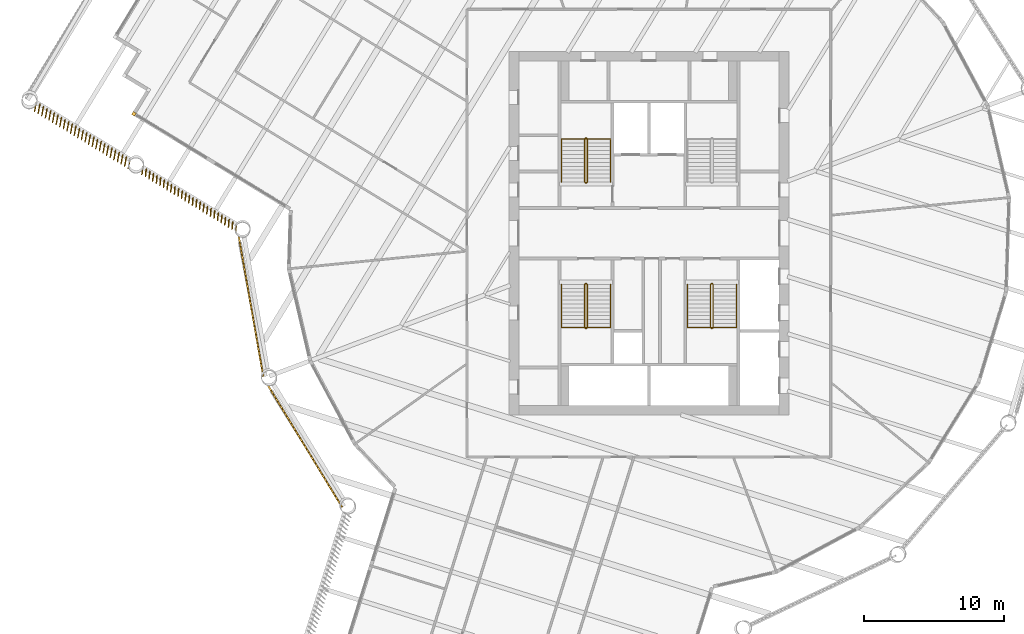
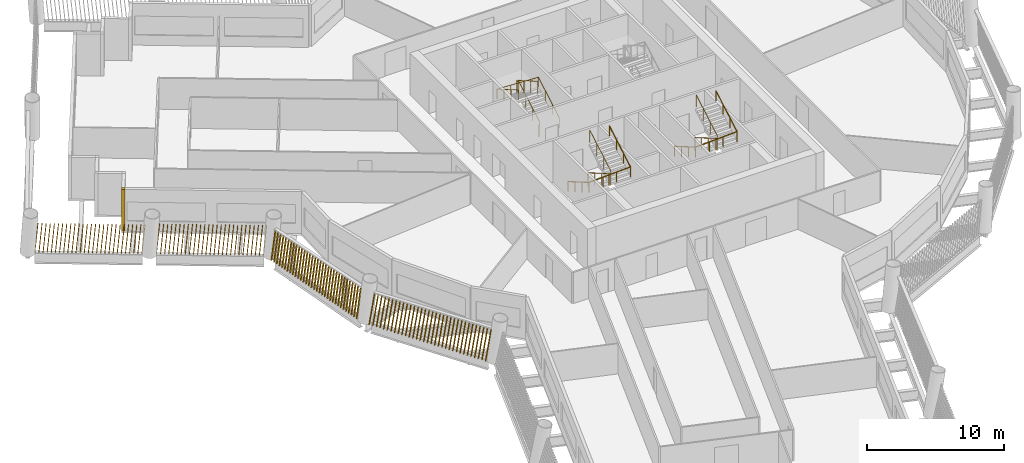
# One storey, part 12 of 15: 6 railings, 5 shading devices.
"""IFC4 building model written with IfcOpenShell, lengths in metres."""

from ifc_helpers import new_model, si_unit, direction, frame, frame_2d, origin, origin_2d, place, context, subcontext, project, spatial, rectangle, circle, composite_profile, extrude, material, type_object, element, save


model = new_model("IFC4")

# Units and contexts
model_context = context("Model", 3, precision=1e-05, world=origin(), true_north=direction((0.0, 1.0)))
body_context = subcontext(model_context, "Body", "Model", "MODEL_VIEW")
ifc_project = project(units=[si_unit("LENGTHUNIT", "METRE"), si_unit("AREAUNIT", "SQUARE_METRE"), si_unit("VOLUMEUNIT", "CUBIC_METRE"), si_unit("PLANEANGLEUNIT", "RADIAN"), si_unit("MASSUNIT", "GRAM", prefix="KILO")], contexts=[model_context])

# Site, building, storey
site_placement = place(None, origin())
site = spatial("IfcSite", under=ifc_project, at=site_placement, CompositionType="ELEMENT")
building_placement = place(site_placement, origin())
building = spatial("IfcBuilding", under=site, at=building_placement, Name="Tarsis Ring Headquarters", CompositionType="ELEMENT")
storey_placement = place(building_placement, frame((0.0, 0.0, 151.5)))
storey = spatial("IfcBuildingStorey", under=building, at=storey_placement, Name="L34", CompositionType="ELEMENT", Elevation=151.5)

# Railings
ifc_material_1 = material(Name="Steel S355", Category="steel")
railing_type_1 = type_object("IfcRailingType", Name="Core stair guard 1100", PredefinedType="GUARDRAIL", material=ifc_material_1)
railing_1_placement = place(storey_placement, frame((-4.5400390625, 3.610107421875, 0.0)))
element("IfcRailing", 1, at=railing_1_placement, inside=storey, type_object=railing_type_1, Name="L34 ST1 stair guard 1", PredefinedType="GUARDRAIL", context=body_context, shape_type="SweptSolid", body=[
    extrude(circle(Radius=0.02392578125, at=origin_2d()), frame((0.0, 0.0, 1.076171875), z_axis=(1.0, 0.0, 0.0), x_axis=(0.0, 1.0, 0.0)), (0.0, 0.0, 1.0), 0.080078125),
    extrude(circle(Radius=0.02392578125, at=origin_2d()), frame((0.080078125, 0.0, 1.076171875), z_axis=(0.282336740067, 0.280959487676, 0.917250092119), x_axis=(-0.705375805398, 0.708833529934, 0.0)), (0.0, 0.0, 1.0), 0.17724609375),
    extrude(circle(Radius=0.02392578125, at=origin_2d()), frame((0.130126953125, 0.0498046875, 1.23876953125), z_axis=(0.0, 0.864920483161, 0.501908913857), x_axis=(-1.0, 0.0, 0.0)), (0.0, 0.0, 1.0), 3.56103515625),
    extrude(circle(Radius=0.02392578125, at=origin_2d()), frame((0.130126953125, 3.1298828125, 3.02587890625), z_axis=(-0.707106781187, 0.707106781187, 0.0), x_axis=(-0.707106781187, -0.707106781187, 0.0)), (0.0, 0.0, 1.0), 0.07080078125),
    extrude(circle(Radius=0.02392578125, at=origin_2d()), frame((0.080078125, 3.179931640625, 3.02587890625), z_axis=(-1.0, 0.0, 0.0), x_axis=(0.0, -1.0, 0.0)), (0.0, 0.0, 1.0), 0.080078125),
    extrude(circle(Radius=0.02392578125, at=origin_2d()), frame((0.0, 3.179931640625, 3.02587890625), z_axis=(-0.282227285176, -0.282227285176, 0.916894497205), x_axis=(0.707106781187, -0.707106781187, 0.0)), (0.0, 0.0, 1.0), 0.17724609375),
    extrude(circle(Radius=0.02392578125, at=origin_2d()), frame((-0.050048828125, 3.1298828125, 3.1884765625), z_axis=(0.0, -0.864920483161, 0.501908913857), x_axis=(1.0, 0.0, 0.0)), (0.0, 0.0, 1.0), 3.56103515625),
    extrude(circle(Radius=0.02099609375, at=origin_2d()), origin(), (0.0, 0.0, 1.0), 1.052001953125),
    extrude(circle(Radius=0.02099609375, at=origin_2d()), frame((0.080078125, 0.0, 0.0)), (0.0, 0.0, 1.0), 1.052001953125),
    extrude(circle(Radius=0.02099609375, at=origin_2d()), frame((0.130126953125, 0.0498046875, 0.16259765625)), (0.0, 0.0, 1.0), 1.052001953125),
    extrude(circle(Radius=0.02099609375, at=origin_2d()), frame((0.130126953125, 1.076416015625, 0.75830078125)), (0.0, 0.0, 1.0), 1.052001953125),
    extrude(circle(Radius=0.02099609375, at=origin_2d()), frame((0.130126953125, 2.103271484375, 1.354248046875)), (0.0, 0.0, 1.0), 1.052001953125),
    extrude(circle(Radius=0.02099609375, at=origin_2d()), frame((0.130126953125, 3.1298828125, 1.949951171875)), (0.0, 0.0, 1.0), 1.052001953125),
    extrude(circle(Radius=0.02099609375, at=origin_2d()), frame((0.080078125, 3.179931640625, 1.949951171875)), (0.0, 0.0, 1.0), 1.052001953125),
    extrude(circle(Radius=0.02099609375, at=origin_2d()), frame((0.0, 3.179931640625, 1.949951171875)), (0.0, 0.0, 1.0), 1.052001953125),
    extrude(circle(Radius=0.02099609375, at=origin_2d()), frame((-0.050048828125, 3.1298828125, 2.112548828125)), (0.0, 0.0, 1.0), 1.052001953125),
    extrude(circle(Radius=0.02099609375, at=origin_2d()), frame((-0.050048828125, 2.103271484375, 2.708251953125)), (0.0, 0.0, 1.0), 1.052001953125),
    extrude(circle(Radius=0.02099609375, at=origin_2d()), frame((-0.050048828125, 1.076416015625, 3.30419921875)), (0.0, 0.0, 1.0), 1.052001953125),
    extrude(circle(Radius=0.02099609375, at=origin_2d()), frame((-0.050048828125, 0.0498046875, 3.89990234375)), (0.0, 0.0, 1.0), 1.052001953125),
])
railing_2_placement = place(storey_placement, frame((-4.4599609375, -3.610107421875, 0.0)))
element("IfcRailing", 2, at=railing_2_placement, inside=storey, type_object=railing_type_1, Name="L34 ST3 stair guard 1", PredefinedType="GUARDRAIL", context=body_context, shape_type="SweptSolid", body=[
    extrude(circle(Radius=0.02392578125, at=origin_2d()), frame((0.0, 0.0, 1.076171875), z_axis=(-1.0, 0.0, 0.0), x_axis=(0.0, -1.0, 0.0)), (0.0, 0.0, 1.0), 0.080078125),
    extrude(circle(Radius=0.02392578125, at=origin_2d()), frame((-0.080078125, 0.0, 1.076171875), z_axis=(-0.282336740067, -0.280959487676, 0.917250092119), x_axis=(0.705375805398, -0.708833529934, 0.0)), (0.0, 0.0, 1.0), 0.17724609375),
    extrude(circle(Radius=0.02392578125, at=origin_2d()), frame((-0.130126953125, -0.0498046875, 1.23876953125), z_axis=(0.0, -0.864920483161, 0.501908913857), x_axis=(1.0, 0.0, 0.0)), (0.0, 0.0, 1.0), 3.56103515625),
    extrude(circle(Radius=0.02392578125, at=origin_2d()), frame((-0.130126953125, -3.1298828125, 3.02587890625), z_axis=(0.707106781187, -0.707106781187, 0.0), x_axis=(0.707106781187, 0.707106781187, 0.0)), (0.0, 0.0, 1.0), 0.07080078125),
    extrude(circle(Radius=0.02392578125, at=origin_2d()), frame((-0.080078125, -3.179931640625, 3.02587890625), z_axis=(1.0, 0.0, 0.0), x_axis=(0.0, 1.0, 0.0)), (0.0, 0.0, 1.0), 0.080078125),
    extrude(circle(Radius=0.02392578125, at=origin_2d()), frame((0.0, -3.179931640625, 3.02587890625), z_axis=(0.282227285176, 0.282227285176, 0.916894497205), x_axis=(-0.707106781187, 0.707106781187, 0.0)), (0.0, 0.0, 1.0), 0.17724609375),
    extrude(circle(Radius=0.02392578125, at=origin_2d()), frame((0.050048828125, -3.1298828125, 3.1884765625), z_axis=(0.0, 0.864920483161, 0.501908913857), x_axis=(-1.0, 0.0, 0.0)), (0.0, 0.0, 1.0), 3.56103515625),
    extrude(circle(Radius=0.02099609375, at=origin_2d()), origin(), (0.0, 0.0, 1.0), 1.052001953125),
    extrude(circle(Radius=0.02099609375, at=origin_2d()), frame((-0.080078125, 0.0, 0.0)), (0.0, 0.0, 1.0), 1.052001953125),
    extrude(circle(Radius=0.02099609375, at=origin_2d()), frame((-0.130126953125, -0.0498046875, 0.16259765625)), (0.0, 0.0, 1.0), 1.052001953125),
    extrude(circle(Radius=0.02099609375, at=origin_2d()), frame((-0.130126953125, -1.076416015625, 0.75830078125)), (0.0, 0.0, 1.0), 1.052001953125),
    extrude(circle(Radius=0.02099609375, at=origin_2d()), frame((-0.130126953125, -2.103271484375, 1.354248046875)), (0.0, 0.0, 1.0), 1.052001953125),
    extrude(circle(Radius=0.02099609375, at=origin_2d()), frame((-0.130126953125, -3.1298828125, 1.949951171875)), (0.0, 0.0, 1.0), 1.052001953125),
    extrude(circle(Radius=0.02099609375, at=origin_2d()), frame((-0.080078125, -3.179931640625, 1.949951171875)), (0.0, 0.0, 1.0), 1.052001953125),
    extrude(circle(Radius=0.02099609375, at=origin_2d()), frame((0.0, -3.179931640625, 1.949951171875)), (0.0, 0.0, 1.0), 1.052001953125),
    extrude(circle(Radius=0.02099609375, at=origin_2d()), frame((0.050048828125, -3.1298828125, 2.112548828125)), (0.0, 0.0, 1.0), 1.052001953125),
    extrude(circle(Radius=0.02099609375, at=origin_2d()), frame((0.050048828125, -2.103271484375, 2.708251953125)), (0.0, 0.0, 1.0), 1.052001953125),
    extrude(circle(Radius=0.02099609375, at=origin_2d()), frame((0.050048828125, -1.076416015625, 3.30419921875)), (0.0, 0.0, 1.0), 1.052001953125),
    extrude(circle(Radius=0.02099609375, at=origin_2d()), frame((0.050048828125, -0.0498046875, 3.89990234375)), (0.0, 0.0, 1.0), 1.052001953125),
])
railing_3_placement = place(storey_placement, frame((4.5400390625, -3.610107421875, 0.0)))
element("IfcRailing", 3, at=railing_3_placement, inside=storey, type_object=railing_type_1, Name="L34 ST4 stair guard 1", PredefinedType="GUARDRAIL", context=body_context, shape_type="SweptSolid", body=[
    extrude(circle(Radius=0.02392578125, at=origin_2d()), frame((0.0, 0.0, 1.076171875), z_axis=(-1.0, 0.0, 0.0), x_axis=(0.0, -1.0, 0.0)), (0.0, 0.0, 1.0), 0.080078125),
    extrude(circle(Radius=0.02392578125, at=origin_2d()), frame((-0.080078125, 0.0, 1.076171875), z_axis=(-0.282336740067, -0.280959487676, 0.917250092119), x_axis=(0.705375805398, -0.708833529934, 0.0)), (0.0, 0.0, 1.0), 0.17724609375),
    extrude(circle(Radius=0.02392578125, at=origin_2d()), frame((-0.130126953125, -0.0498046875, 1.23876953125), z_axis=(0.0, -0.864920483161, 0.501908913857), x_axis=(1.0, 0.0, 0.0)), (0.0, 0.0, 1.0), 3.56103515625),
    extrude(circle(Radius=0.02392578125, at=origin_2d()), frame((-0.130126953125, -3.1298828125, 3.02587890625), z_axis=(0.707106781187, -0.707106781187, 0.0), x_axis=(0.707106781187, 0.707106781187, 0.0)), (0.0, 0.0, 1.0), 0.07080078125),
    extrude(circle(Radius=0.02392578125, at=origin_2d()), frame((-0.080078125, -3.179931640625, 3.02587890625), z_axis=(1.0, 0.0, 0.0), x_axis=(0.0, 1.0, 0.0)), (0.0, 0.0, 1.0), 0.080078125),
    extrude(circle(Radius=0.02392578125, at=origin_2d()), frame((0.0, -3.179931640625, 3.02587890625), z_axis=(0.282227285176, 0.282227285176, 0.916894497205), x_axis=(-0.707106781187, 0.707106781187, 0.0)), (0.0, 0.0, 1.0), 0.17724609375),
    extrude(circle(Radius=0.02392578125, at=origin_2d()), frame((0.050048828125, -3.1298828125, 3.1884765625), z_axis=(0.0, 0.864920483161, 0.501908913857), x_axis=(-1.0, 0.0, 0.0)), (0.0, 0.0, 1.0), 3.56103515625),
    extrude(circle(Radius=0.02099609375, at=origin_2d()), origin(), (0.0, 0.0, 1.0), 1.052001953125),
    extrude(circle(Radius=0.02099609375, at=origin_2d()), frame((-0.080078125, 0.0, 0.0)), (0.0, 0.0, 1.0), 1.052001953125),
    extrude(circle(Radius=0.02099609375, at=origin_2d()), frame((-0.130126953125, -0.0498046875, 0.16259765625)), (0.0, 0.0, 1.0), 1.052001953125),
    extrude(circle(Radius=0.02099609375, at=origin_2d()), frame((-0.130126953125, -1.076416015625, 0.75830078125)), (0.0, 0.0, 1.0), 1.052001953125),
    extrude(circle(Radius=0.02099609375, at=origin_2d()), frame((-0.130126953125, -2.103271484375, 1.354248046875)), (0.0, 0.0, 1.0), 1.052001953125),
    extrude(circle(Radius=0.02099609375, at=origin_2d()), frame((-0.130126953125, -3.1298828125, 1.949951171875)), (0.0, 0.0, 1.0), 1.052001953125),
    extrude(circle(Radius=0.02099609375, at=origin_2d()), frame((-0.080078125, -3.179931640625, 1.949951171875)), (0.0, 0.0, 1.0), 1.052001953125),
    extrude(circle(Radius=0.02099609375, at=origin_2d()), frame((0.0, -3.179931640625, 1.949951171875)), (0.0, 0.0, 1.0), 1.052001953125),
    extrude(circle(Radius=0.02099609375, at=origin_2d()), frame((0.050048828125, -3.1298828125, 2.112548828125)), (0.0, 0.0, 1.0), 1.052001953125),
    extrude(circle(Radius=0.02099609375, at=origin_2d()), frame((0.050048828125, -2.103271484375, 2.708251953125)), (0.0, 0.0, 1.0), 1.052001953125),
    extrude(circle(Radius=0.02099609375, at=origin_2d()), frame((0.050048828125, -1.076416015625, 3.30419921875)), (0.0, 0.0, 1.0), 1.052001953125),
    extrude(circle(Radius=0.02099609375, at=origin_2d()), frame((0.050048828125, -0.0498046875, 3.89990234375)), (0.0, 0.0, 1.0), 1.052001953125),
])
railing_type_2 = type_object("IfcRailingType", Name="Core stair handrail 900", PredefinedType="HANDRAIL", material=ifc_material_1)
railing_4_placement = place(storey_placement, frame((-2.75, 3.659912109375, 0.16259765625)))
element("IfcRailing", 4, at=railing_4_placement, inside=storey, type_object=railing_type_2, Name="L34 ST1 stair handrail 1", PredefinedType="HANDRAIL", context=body_context, shape_type="SweptSolid", body=[
    extrude(circle(Radius=0.02392578125, at=origin_2d()), frame((0.0, 0.0, 0.8759765625), z_axis=(0.0, 0.864920483161, 0.501908913857), x_axis=(-1.0, 0.0, 0.0)), (0.0, 0.0, 1.0), 3.56103515625),
    extrude(circle(Radius=0.02392578125, at=origin_2d()), frame((0.0, 3.080078125, 2.6630859375), z_axis=(-0.998922641604, 0.0, 0.046406422943), x_axis=(0.0, -1.0, 0.0)), (0.0, 0.0, 1.0), 3.503662109375),
    extrude(circle(Radius=0.02392578125, at=origin_2d()), frame((-3.5, 3.080078125, 2.82568359375), z_axis=(0.0, -0.864920483161, 0.501908913857), x_axis=(1.0, 0.0, 0.0)), (0.0, 0.0, 1.0), 3.56103515625),
    extrude(circle(Radius=0.02099609375, at=origin_2d()), origin(), (0.0, 0.0, 1.0), 0.851806640625),
    extrude(circle(Radius=0.02099609375, at=origin_2d()), frame((0.0, 1.026611328125, 0.595703125)), (0.0, 0.0, 1.0), 0.851806640625),
    extrude(circle(Radius=0.02099609375, at=origin_2d()), frame((0.0, 2.053466796875, 1.191650390625)), (0.0, 0.0, 1.0), 0.851806640625),
    extrude(circle(Radius=0.02099609375, at=origin_2d()), frame((0.0, 3.080078125, 1.787353515625)), (0.0, 0.0, 1.0), 0.851806640625),
    extrude(circle(Radius=0.02099609375, at=origin_2d()), frame((-1.166748046875, 3.080078125, 1.841552734375)), (0.0, 0.0, 1.0), 0.851806640625),
    extrude(circle(Radius=0.02099609375, at=origin_2d()), frame((-2.333251953125, 3.080078125, 1.895751953125)), (0.0, 0.0, 1.0), 0.851806640625),
    extrude(circle(Radius=0.02099609375, at=origin_2d()), frame((-3.5, 3.080078125, 1.949951171875)), (0.0, 0.0, 1.0), 0.851806640625),
    extrude(circle(Radius=0.02099609375, at=origin_2d()), frame((-3.5, 2.053466796875, 2.545654296875)), (0.0, 0.0, 1.0), 0.851806640625),
    extrude(circle(Radius=0.02099609375, at=origin_2d()), frame((-3.5, 1.026611328125, 3.1416015625)), (0.0, 0.0, 1.0), 0.851806640625),
    extrude(circle(Radius=0.02099609375, at=origin_2d()), frame((-3.5, 0.0, 3.7373046875)), (0.0, 0.0, 1.0), 0.851806640625),
])
railing_5_placement = place(storey_placement, frame((-6.25, -3.659912109375, 0.16259765625)))
element("IfcRailing", 5, at=railing_5_placement, inside=storey, type_object=railing_type_2, Name="L34 ST3 stair handrail 1", PredefinedType="HANDRAIL", context=body_context, shape_type="SweptSolid", body=[
    extrude(circle(Radius=0.02392578125, at=origin_2d()), frame((0.0, 0.0, 0.8759765625), z_axis=(0.0, -0.864920483161, 0.501908913857), x_axis=(1.0, 0.0, 0.0)), (0.0, 0.0, 1.0), 3.56103515625),
    extrude(circle(Radius=0.02392578125, at=origin_2d()), frame((0.0, -3.080078125, 2.6630859375), z_axis=(0.998922641604, 0.0, 0.046406422943), x_axis=(0.0, 1.0, 0.0)), (0.0, 0.0, 1.0), 3.503662109375),
    extrude(circle(Radius=0.02392578125, at=origin_2d()), frame((3.5, -3.080078125, 2.82568359375), z_axis=(0.0, 0.864920483161, 0.501908913857), x_axis=(-1.0, 0.0, 0.0)), (0.0, 0.0, 1.0), 3.56103515625),
    extrude(circle(Radius=0.02099609375, at=origin_2d()), origin(), (0.0, 0.0, 1.0), 0.851806640625),
    extrude(circle(Radius=0.02099609375, at=origin_2d()), frame((0.0, -1.026611328125, 0.595703125)), (0.0, 0.0, 1.0), 0.851806640625),
    extrude(circle(Radius=0.02099609375, at=origin_2d()), frame((0.0, -2.053466796875, 1.191650390625)), (0.0, 0.0, 1.0), 0.851806640625),
    extrude(circle(Radius=0.02099609375, at=origin_2d()), frame((0.0, -3.080078125, 1.787353515625)), (0.0, 0.0, 1.0), 0.851806640625),
    extrude(circle(Radius=0.02099609375, at=origin_2d()), frame((1.166748046875, -3.080078125, 1.841552734375)), (0.0, 0.0, 1.0), 0.851806640625),
    extrude(circle(Radius=0.02099609375, at=origin_2d()), frame((2.333251953125, -3.080078125, 1.895751953125)), (0.0, 0.0, 1.0), 0.851806640625),
    extrude(circle(Radius=0.02099609375, at=origin_2d()), frame((3.5, -3.080078125, 1.949951171875)), (0.0, 0.0, 1.0), 0.851806640625),
    extrude(circle(Radius=0.02099609375, at=origin_2d()), frame((3.5, -2.053466796875, 2.545654296875)), (0.0, 0.0, 1.0), 0.851806640625),
    extrude(circle(Radius=0.02099609375, at=origin_2d()), frame((3.5, -1.026611328125, 3.1416015625)), (0.0, 0.0, 1.0), 0.851806640625),
    extrude(circle(Radius=0.02099609375, at=origin_2d()), frame((3.5, 0.0, 3.7373046875)), (0.0, 0.0, 1.0), 0.851806640625),
])
railing_6_placement = place(storey_placement, frame((2.75, -3.659912109375, 0.16259765625)))
element("IfcRailing", 6, at=railing_6_placement, inside=storey, type_object=railing_type_2, Name="L34 ST4 stair handrail 1", PredefinedType="HANDRAIL", context=body_context, shape_type="SweptSolid", body=[
    extrude(circle(Radius=0.02392578125, at=origin_2d()), frame((0.0, 0.0, 0.8759765625), z_axis=(0.0, -0.864920483161, 0.501908913857), x_axis=(1.0, 0.0, 0.0)), (0.0, 0.0, 1.0), 3.56103515625),
    extrude(circle(Radius=0.02392578125, at=origin_2d()), frame((0.0, -3.080078125, 2.6630859375), z_axis=(0.998922641604, 0.0, 0.046406422943), x_axis=(0.0, 1.0, 0.0)), (0.0, 0.0, 1.0), 3.503662109375),
    extrude(circle(Radius=0.02392578125, at=origin_2d()), frame((3.5, -3.080078125, 2.82568359375), z_axis=(0.0, 0.864920483161, 0.501908913857), x_axis=(-1.0, 0.0, 0.0)), (0.0, 0.0, 1.0), 3.56103515625),
    extrude(circle(Radius=0.02099609375, at=origin_2d()), origin(), (0.0, 0.0, 1.0), 0.851806640625),
    extrude(circle(Radius=0.02099609375, at=origin_2d()), frame((0.0, -1.026611328125, 0.595703125)), (0.0, 0.0, 1.0), 0.851806640625),
    extrude(circle(Radius=0.02099609375, at=origin_2d()), frame((0.0, -2.053466796875, 1.191650390625)), (0.0, 0.0, 1.0), 0.851806640625),
    extrude(circle(Radius=0.02099609375, at=origin_2d()), frame((0.0, -3.080078125, 1.787353515625)), (0.0, 0.0, 1.0), 0.851806640625),
    extrude(circle(Radius=0.02099609375, at=origin_2d()), frame((1.166748046875, -3.080078125, 1.841552734375)), (0.0, 0.0, 1.0), 0.851806640625),
    extrude(circle(Radius=0.02099609375, at=origin_2d()), frame((2.333251953125, -3.080078125, 1.895751953125)), (0.0, 0.0, 1.0), 0.851806640625),
    extrude(circle(Radius=0.02099609375, at=origin_2d()), frame((3.5, -3.080078125, 1.949951171875)), (0.0, 0.0, 1.0), 0.851806640625),
    extrude(circle(Radius=0.02099609375, at=origin_2d()), frame((3.5, -2.053466796875, 2.545654296875)), (0.0, 0.0, 1.0), 0.851806640625),
    extrude(circle(Radius=0.02099609375, at=origin_2d()), frame((3.5, -1.026611328125, 3.1416015625)), (0.0, 0.0, 1.0), 0.851806640625),
    extrude(circle(Radius=0.02099609375, at=origin_2d()), frame((3.5, 0.0, 3.7373046875)), (0.0, 0.0, 1.0), 0.851806640625),
])

# Shading devices
ifc_material_2 = material(Name="Terracotta baguette", Category="masonry")
shading_device_type_1 = type_object("IfcShadingDeviceType", Name="Terracotta baguette screen", PredefinedType="USERDEFINED", material=ifc_material_2)
shading_device_1_placement = place(storey_placement, frame((-27.244384765625, -10.861572265625, 0.0), z_axis=(0.0, 0.0, 1.0), x_axis=(0.519900062461, -0.854216114928, 0.0)))
element("IfcShadingDevice", 7, at=shading_device_1_placement, inside=storey, type_object=shading_device_type_1, Name="Baguette screen L34-00", ObjectType="Terracotta baguette screen", PredefinedType="USERDEFINED", context=body_context, shape_type="SweptSolid", body=[
    extrude(composite_profile([rectangle(XDim=0.06005859375, YDim=0.1201171875, at=frame_2d((0.030029296875, 0.0))), rectangle(XDim=0.06005859375, YDim=0.1201171875, at=frame_2d((0.33349609375, 0.0))), rectangle(XDim=0.06005859375, YDim=0.1201171875, at=frame_2d((0.636962890625, 0.0))), rectangle(XDim=0.06005859375, YDim=0.1201171875, at=frame_2d((0.9404296875, 0.0))), rectangle(XDim=0.06005859375, YDim=0.1201171875, at=frame_2d((1.243896484375, 0.0))), rectangle(XDim=0.06005859375, YDim=0.1201171875, at=frame_2d((1.54736328125, 0.0))), rectangle(XDim=0.06005859375, YDim=0.1201171875, at=frame_2d((1.85107421875, 0.0))), rectangle(XDim=0.06005859375, YDim=0.1201171875, at=frame_2d((2.154541015625, 0.0))), rectangle(XDim=0.06005859375, YDim=0.1201171875, at=frame_2d((2.4580078125, 0.0))), rectangle(XDim=0.06005859375, YDim=0.1201171875, at=frame_2d((2.761474609375, 0.0))), rectangle(XDim=0.06005859375, YDim=0.1201171875, at=frame_2d((3.06494140625, 0.0))), rectangle(XDim=0.06005859375, YDim=0.1201171875, at=frame_2d((3.368408203125, 0.0))), rectangle(XDim=0.06005859375, YDim=0.1201171875, at=frame_2d((3.671875, 0.0))), rectangle(XDim=0.06005859375, YDim=0.1201171875, at=frame_2d((3.975341796875, 0.0))), rectangle(XDim=0.06005859375, YDim=0.1201171875, at=frame_2d((4.27880859375, 0.0))), rectangle(XDim=0.06005859375, YDim=0.1201171875, at=frame_2d((4.582275390625, 0.0))), rectangle(XDim=0.06005859375, YDim=0.1201171875, at=frame_2d((4.8857421875, 0.0))), rectangle(XDim=0.06005859375, YDim=0.1201171875, at=frame_2d((5.189453125, 0.0))), rectangle(XDim=0.06005859375, YDim=0.1201171875, at=frame_2d((5.492919921875, 0.0))), rectangle(XDim=0.06005859375, YDim=0.1201171875, at=frame_2d((5.79638671875, 0.0))), rectangle(XDim=0.06005859375, YDim=0.1201171875, at=frame_2d((6.099853515625, 0.0))), rectangle(XDim=0.06005859375, YDim=0.1201171875, at=frame_2d((6.4033203125, 0.0))), rectangle(XDim=0.06005859375, YDim=0.1201171875, at=frame_2d((6.706787109375, 0.0))), rectangle(XDim=0.06005859375, YDim=0.1201171875, at=frame_2d((7.01025390625, 0.0))), rectangle(XDim=0.06005859375, YDim=0.1201171875, at=frame_2d((7.313720703125, 0.0))), rectangle(XDim=0.06005859375, YDim=0.1201171875, at=frame_2d((7.6171875, 0.0))), rectangle(XDim=0.06005859375, YDim=0.1201171875, at=frame_2d((7.920654296875, 0.0))), rectangle(XDim=0.06005859375, YDim=0.1201171875, at=frame_2d((8.224365234375, 0.0))), rectangle(XDim=0.06005859375, YDim=0.1201171875, at=frame_2d((8.52783203125, 0.0))), rectangle(XDim=0.06005859375, YDim=0.1201171875, at=frame_2d((8.831298828125, 0.0))), rectangle(XDim=0.06005859375, YDim=0.1201171875, at=frame_2d((9.134765625, 0.0))), rectangle(XDim=0.06005859375, YDim=0.1201171875, at=frame_2d((9.438232421875, 0.0))), rectangle(XDim=0.06005859375, YDim=0.1201171875, at=frame_2d((9.74169921875, 0.0)))]), origin(), (0.152191393741, 0.001192898621, 0.988350320819), 2.984619140625),
])
shading_device_2_placement = place(storey_placement, frame((-43.82275390625, 9.37548828125, 0.0), z_axis=(0.0, 0.0, 1.0), x_axis=(0.853925294281, -0.520406586956, 0.0)))
element("IfcShadingDevice", 8, at=shading_device_2_placement, inside=storey, type_object=shading_device_type_1, Name="Baguette screen L34-19", ObjectType="Terracotta baguette screen", PredefinedType="USERDEFINED", context=body_context, shape_type="SweptSolid", body=[
    extrude(composite_profile([rectangle(XDim=0.06005859375, YDim=0.1201171875, at=frame_2d((0.030029296875, 0.0))), rectangle(XDim=0.06005859375, YDim=0.1201171875, at=frame_2d((0.33154296875, 0.0))), rectangle(XDim=0.06005859375, YDim=0.1201171875, at=frame_2d((0.63330078125, 0.0))), rectangle(XDim=0.06005859375, YDim=0.1201171875, at=frame_2d((0.934814453125, 0.0))), rectangle(XDim=0.06005859375, YDim=0.1201171875, at=frame_2d((1.236572265625, 0.0))), rectangle(XDim=0.06005859375, YDim=0.1201171875, at=frame_2d((1.5380859375, 0.0))), rectangle(XDim=0.06005859375, YDim=0.1201171875, at=frame_2d((1.83984375, 0.0))), rectangle(XDim=0.06005859375, YDim=0.1201171875, at=frame_2d((2.141357421875, 0.0))), rectangle(XDim=0.06005859375, YDim=0.1201171875, at=frame_2d((2.443115234375, 0.0))), rectangle(XDim=0.06005859375, YDim=0.1201171875, at=frame_2d((2.74462890625, 0.0))), rectangle(XDim=0.06005859375, YDim=0.1201171875, at=frame_2d((3.04638671875, 0.0))), rectangle(XDim=0.06005859375, YDim=0.1201171875, at=frame_2d((3.347900390625, 0.0))), rectangle(XDim=0.06005859375, YDim=0.1201171875, at=frame_2d((3.649658203125, 0.0))), rectangle(XDim=0.06005859375, YDim=0.1201171875, at=frame_2d((3.951171875, 0.0))), rectangle(XDim=0.06005859375, YDim=0.1201171875, at=frame_2d((4.252685546875, 0.0))), rectangle(XDim=0.06005859375, YDim=0.1201171875, at=frame_2d((4.554443359375, 0.0))), rectangle(XDim=0.06005859375, YDim=0.1201171875, at=frame_2d((4.85595703125, 0.0))), rectangle(XDim=0.06005859375, YDim=0.1201171875, at=frame_2d((5.15771484375, 0.0))), rectangle(XDim=0.06005859375, YDim=0.1201171875, at=frame_2d((5.459228515625, 0.0))), rectangle(XDim=0.06005859375, YDim=0.1201171875, at=frame_2d((5.760986328125, 0.0))), rectangle(XDim=0.06005859375, YDim=0.1201171875, at=frame_2d((6.0625, 0.0))), rectangle(XDim=0.06005859375, YDim=0.1201171875, at=frame_2d((6.3642578125, 0.0))), rectangle(XDim=0.06005859375, YDim=0.1201171875, at=frame_2d((6.665771484375, 0.0))), rectangle(XDim=0.06005859375, YDim=0.1201171875, at=frame_2d((6.967529296875, 0.0))), rectangle(XDim=0.06005859375, YDim=0.1201171875, at=frame_2d((7.26904296875, 0.0))), rectangle(XDim=0.06005859375, YDim=0.1201171875, at=frame_2d((7.57080078125, 0.0))), rectangle(XDim=0.06005859375, YDim=0.1201171875, at=frame_2d((7.872314453125, 0.0)))]), origin(), (0.078546556917, -0.198867755667, 0.976873612169), 3.019775390625),
])
shading_device_3_placement = place(storey_placement, frame((-36.220947265625, 4.74267578125, 0.0), z_axis=(0.0, 0.0, 1.0), x_axis=(0.853925294281, -0.520406586956, 0.0)))
element("IfcShadingDevice", 9, at=shading_device_3_placement, inside=storey, type_object=shading_device_type_1, Name="Baguette screen L34-20", ObjectType="Terracotta baguette screen", PredefinedType="USERDEFINED", context=body_context, shape_type="SweptSolid", body=[
    extrude(composite_profile([rectangle(XDim=0.06005859375, YDim=0.1201171875, at=frame_2d((0.030029296875, 0.0))), rectangle(XDim=0.06005859375, YDim=0.1201171875, at=frame_2d((0.33154296875, 0.0))), rectangle(XDim=0.06005859375, YDim=0.1201171875, at=frame_2d((0.63330078125, 0.0))), rectangle(XDim=0.06005859375, YDim=0.1201171875, at=frame_2d((0.934814453125, 0.0))), rectangle(XDim=0.06005859375, YDim=0.1201171875, at=frame_2d((1.236572265625, 0.0))), rectangle(XDim=0.06005859375, YDim=0.1201171875, at=frame_2d((1.5380859375, 0.0))), rectangle(XDim=0.06005859375, YDim=0.1201171875, at=frame_2d((1.83984375, 0.0))), rectangle(XDim=0.06005859375, YDim=0.1201171875, at=frame_2d((2.141357421875, 0.0))), rectangle(XDim=0.06005859375, YDim=0.1201171875, at=frame_2d((2.443115234375, 0.0))), rectangle(XDim=0.06005859375, YDim=0.1201171875, at=frame_2d((2.74462890625, 0.0))), rectangle(XDim=0.06005859375, YDim=0.1201171875, at=frame_2d((3.04638671875, 0.0))), rectangle(XDim=0.06005859375, YDim=0.1201171875, at=frame_2d((3.347900390625, 0.0))), rectangle(XDim=0.06005859375, YDim=0.1201171875, at=frame_2d((3.649658203125, 0.0))), rectangle(XDim=0.06005859375, YDim=0.1201171875, at=frame_2d((3.951171875, 0.0))), rectangle(XDim=0.06005859375, YDim=0.1201171875, at=frame_2d((4.252685546875, 0.0))), rectangle(XDim=0.06005859375, YDim=0.1201171875, at=frame_2d((4.554443359375, 0.0))), rectangle(XDim=0.06005859375, YDim=0.1201171875, at=frame_2d((4.85595703125, 0.0))), rectangle(XDim=0.06005859375, YDim=0.1201171875, at=frame_2d((5.15771484375, 0.0))), rectangle(XDim=0.06005859375, YDim=0.1201171875, at=frame_2d((5.459228515625, 0.0))), rectangle(XDim=0.06005859375, YDim=0.1201171875, at=frame_2d((5.760986328125, 0.0))), rectangle(XDim=0.06005859375, YDim=0.1201171875, at=frame_2d((6.0625, 0.0))), rectangle(XDim=0.06005859375, YDim=0.1201171875, at=frame_2d((6.3642578125, 0.0))), rectangle(XDim=0.06005859375, YDim=0.1201171875, at=frame_2d((6.665771484375, 0.0))), rectangle(XDim=0.06005859375, YDim=0.1201171875, at=frame_2d((6.967529296875, 0.0))), rectangle(XDim=0.06005859375, YDim=0.1201171875, at=frame_2d((7.26904296875, 0.0))), rectangle(XDim=0.06005859375, YDim=0.1201171875, at=frame_2d((7.57080078125, 0.0))), rectangle(XDim=0.06005859375, YDim=0.1201171875, at=frame_2d((7.872314453125, 0.0)))]), origin(), (0.078829873059, -0.153824084417, 0.98494873073), 2.9951171875),
])
shading_device_4_placement = place(storey_placement, frame((-29.3291015625, -0.187255859375, 0.0), z_axis=(0.0, 0.0, 1.0), x_axis=(0.172866958151, -0.98493441599, 0.0)))
element("IfcShadingDevice", 10, at=shading_device_4_placement, inside=storey, type_object=shading_device_type_1, Name="Baguette screen L34-21", ObjectType="Terracotta baguette screen", PredefinedType="USERDEFINED", context=body_context, shape_type="SweptSolid", body=[
    extrude(composite_profile([rectangle(XDim=0.06005859375, YDim=0.1201171875, at=frame_2d((0.030029296875, 0.0))), rectangle(XDim=0.06005859375, YDim=0.1201171875, at=frame_2d((0.33349609375, 0.0))), rectangle(XDim=0.06005859375, YDim=0.1201171875, at=frame_2d((0.636962890625, 0.0))), rectangle(XDim=0.06005859375, YDim=0.1201171875, at=frame_2d((0.9404296875, 0.0))), rectangle(XDim=0.06005859375, YDim=0.1201171875, at=frame_2d((1.243896484375, 0.0))), rectangle(XDim=0.06005859375, YDim=0.1201171875, at=frame_2d((1.54736328125, 0.0))), rectangle(XDim=0.06005859375, YDim=0.1201171875, at=frame_2d((1.85107421875, 0.0))), rectangle(XDim=0.06005859375, YDim=0.1201171875, at=frame_2d((2.154541015625, 0.0))), rectangle(XDim=0.06005859375, YDim=0.1201171875, at=frame_2d((2.4580078125, 0.0))), rectangle(XDim=0.06005859375, YDim=0.1201171875, at=frame_2d((2.761474609375, 0.0))), rectangle(XDim=0.06005859375, YDim=0.1201171875, at=frame_2d((3.06494140625, 0.0))), rectangle(XDim=0.06005859375, YDim=0.1201171875, at=frame_2d((3.368408203125, 0.0))), rectangle(XDim=0.06005859375, YDim=0.1201171875, at=frame_2d((3.671875, 0.0))), rectangle(XDim=0.06005859375, YDim=0.1201171875, at=frame_2d((3.975341796875, 0.0))), rectangle(XDim=0.06005859375, YDim=0.1201171875, at=frame_2d((4.27880859375, 0.0))), rectangle(XDim=0.06005859375, YDim=0.1201171875, at=frame_2d((4.582275390625, 0.0))), rectangle(XDim=0.06005859375, YDim=0.1201171875, at=frame_2d((4.8857421875, 0.0))), rectangle(XDim=0.06005859375, YDim=0.1201171875, at=frame_2d((5.189453125, 0.0))), rectangle(XDim=0.06005859375, YDim=0.1201171875, at=frame_2d((5.492919921875, 0.0))), rectangle(XDim=0.06005859375, YDim=0.1201171875, at=frame_2d((5.79638671875, 0.0))), rectangle(XDim=0.06005859375, YDim=0.1201171875, at=frame_2d((6.099853515625, 0.0))), rectangle(XDim=0.06005859375, YDim=0.1201171875, at=frame_2d((6.4033203125, 0.0))), rectangle(XDim=0.06005859375, YDim=0.1201171875, at=frame_2d((6.706787109375, 0.0))), rectangle(XDim=0.06005859375, YDim=0.1201171875, at=frame_2d((7.01025390625, 0.0))), rectangle(XDim=0.06005859375, YDim=0.1201171875, at=frame_2d((7.313720703125, 0.0))), rectangle(XDim=0.06005859375, YDim=0.1201171875, at=frame_2d((7.6171875, 0.0))), rectangle(XDim=0.06005859375, YDim=0.1201171875, at=frame_2d((7.920654296875, 0.0))), rectangle(XDim=0.06005859375, YDim=0.1201171875, at=frame_2d((8.224365234375, 0.0))), rectangle(XDim=0.06005859375, YDim=0.1201171875, at=frame_2d((8.52783203125, 0.0))), rectangle(XDim=0.06005859375, YDim=0.1201171875, at=frame_2d((8.831298828125, 0.0))), rectangle(XDim=0.06005859375, YDim=0.1201171875, at=frame_2d((9.134765625, 0.0))), rectangle(XDim=0.06005859375, YDim=0.1201171875, at=frame_2d((9.438232421875, 0.0))), rectangle(XDim=0.06005859375, YDim=0.1201171875, at=frame_2d((9.74169921875, 0.0)))]), origin(), (0.152191141207, 0.001196270823, 0.98835035563), 2.984619140625),
])
shading_device_type_2 = type_object("IfcShadingDeviceType", Name="Terracotta corner baguette 250x250", PredefinedType="USERDEFINED", material=ifc_material_2)
shading_device_5_placement = place(storey_placement, frame((-36.814208984375, 8.529541015625, 0.0), z_axis=(0.0, 0.0, 1.0), x_axis=(-0.520413673667, -0.853914286249, 0.0)))
element("IfcShadingDevice", 11, at=shading_device_5_placement, inside=storey, type_object=shading_device_type_2, Name="Corner baguette L34-01", ObjectType="Terracotta corner baguette", PredefinedType="USERDEFINED", context=body_context, shape_type="SweptSolid", body=[
    extrude(rectangle(XDim=0.25, YDim=0.25, at=origin_2d()), origin(), (0.0, 0.0, 1.0), 3.739990234375),
])

save(model, "model.ifc")
